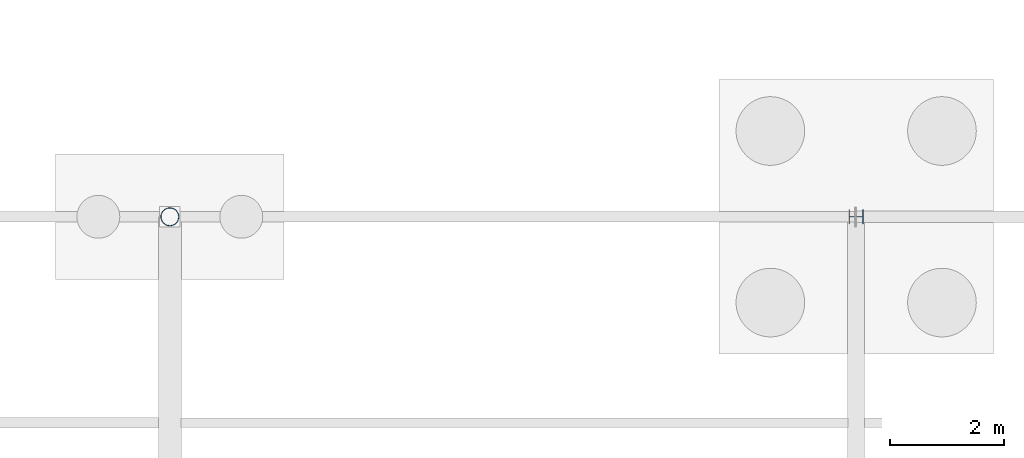
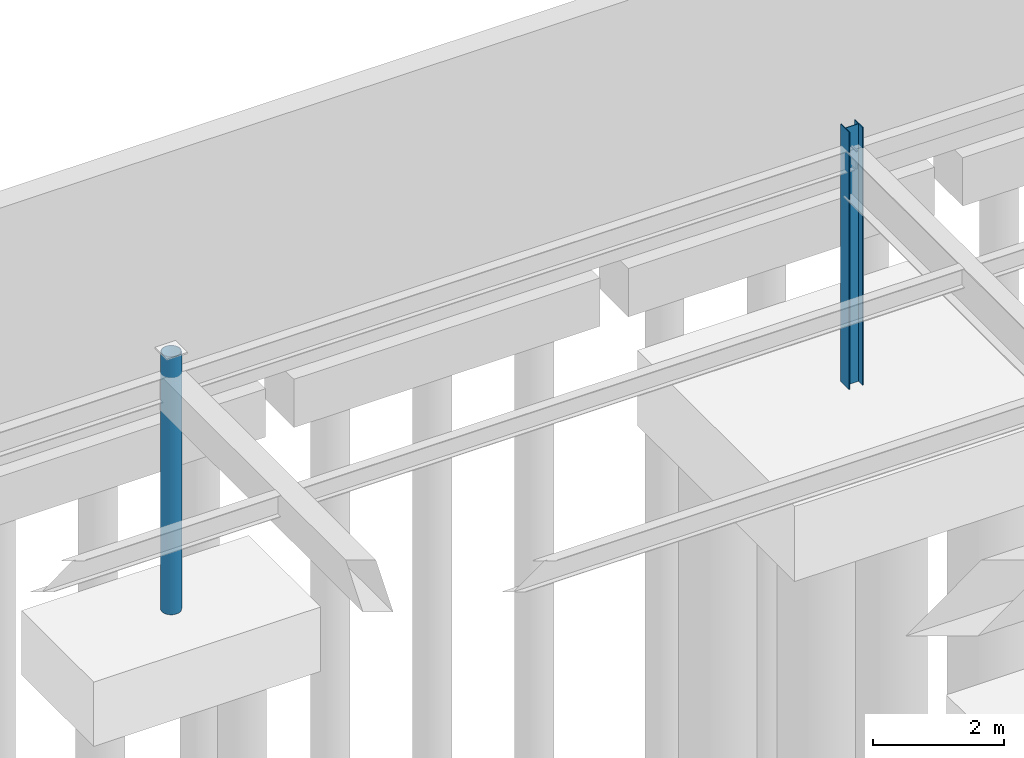
# One storey, part 76 of 136: 2 columns.
"""IFC4 building model written with IfcOpenShell, lengths in metres."""

from ifc_helpers import new_model, si_unit, direction, frame, origin, origin_2d, place, context, subcontext, project, spatial, hollow_circle, i_section, extrude, material, material_profile, profile_set, type_object, element, save


model = new_model("IFC4")

# Units and contexts
model_context = context("Model", 3, precision=1e-05, world=origin(), true_north=direction((0.0, 1.0)))
body_context = subcontext(model_context, "Body", "Model", "MODEL_VIEW")
ifc_project = project(units=[si_unit("LENGTHUNIT", "METRE"), si_unit("AREAUNIT", "SQUARE_METRE"), si_unit("VOLUMEUNIT", "CUBIC_METRE"), si_unit("PLANEANGLEUNIT", "RADIAN"), si_unit("MASSUNIT", "GRAM", prefix="KILO")], contexts=[model_context])

# Site, building, storey
site_placement = place(None, origin())
site = spatial("IfcSite", under=ifc_project, at=site_placement, CompositionType="ELEMENT")
building_placement = place(site_placement, origin())
building = spatial("IfcBuilding", under=site, at=building_placement, Name="Tarnwether General Hospital", CompositionType="ELEMENT")
storey_placement = place(building_placement, frame((0.0, 0.0, -4.800048828125)))
storey = spatial("IfcBuildingStorey", under=building, at=storey_placement, Name="LG", CompositionType="ELEMENT", Elevation=-4.800048828125)

# Columns
ifc_material_1 = material(Name="Steel Grade 350 (350 MPa)", Category="steel")
ifc_material_profile_1 = material_profile(ifc_material_1, i_section(OverallWidth=0.25390625, OverallDepth=0.25390625, WebThickness=0.008544921875, FlangeThickness=0.01416015625, at=origin_2d()), Name="250UC72.9")
ifc_profile_set_1 = profile_set([ifc_material_profile_1], Name="Steel Grade 350 (350 MPa)")
column_type_1 = type_object("IfcColumnType", Name="COL-24", PredefinedType="COLUMN", material=ifc_profile_set_1)
column_1_placement = place(storey_placement, frame((180.0, 126.0, 0.0), z_axis=(0.0, 0.0, 1.0), x_axis=(0.0, 1.0, 0.0)))
element("IfcColumn", 1, at=column_1_placement, inside=storey, type_object=column_type_1, Name="Column COLG-LG-18000_12600", PredefinedType="COLUMN", context=body_context, shape_type="SweptSolid", body=[
    extrude(i_section(OverallWidth=0.25390625, OverallDepth=0.25390625, WebThickness=0.008544921875, FlangeThickness=0.01416015625, at=origin_2d()), origin(), (0.0, 0.0, 1.0), 4.800048828125),
])
ifc_material_2 = material(Name="Steel Grade C350L0 (350 MPa)", Category="steel")
ifc_material_profile_2 = material_profile(ifc_material_2, hollow_circle(Radius=0.161865234375, WallThickness=0.0126953125, at=origin_2d()), Name="CHS323.9x12.7")
ifc_profile_set_2 = profile_set([ifc_material_profile_2], Name="Steel Grade C350L0 (350 MPa)")
column_type_2 = type_object("IfcColumnType", Name="COL-26", PredefinedType="COLUMN", material=ifc_profile_set_2)
column_2_placement = place(storey_placement, frame((168.0, 126.0, 0.0), z_axis=(0.0, 0.0, 1.0), x_axis=(1.0, 0.0, 0.0)))
element("IfcColumn", 2, at=column_2_placement, inside=storey, type_object=column_type_2, Name="Column COLG-LG-16800_12600", PredefinedType="COLUMN", context=body_context, shape_type="SweptSolid", body=[
    extrude(hollow_circle(Radius=0.161865234375, WallThickness=0.0126953125, at=origin_2d()), origin(), (0.0, 0.0, 1.0), 4.800048828125),
])

save(model, "model.ifc")
